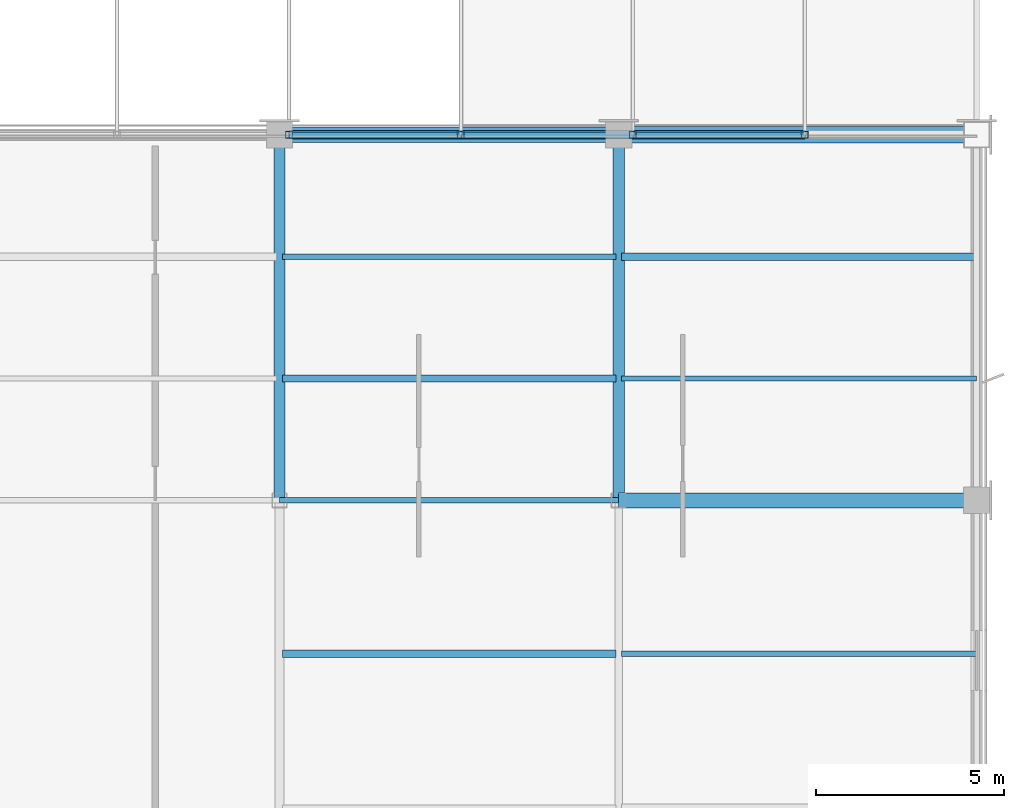
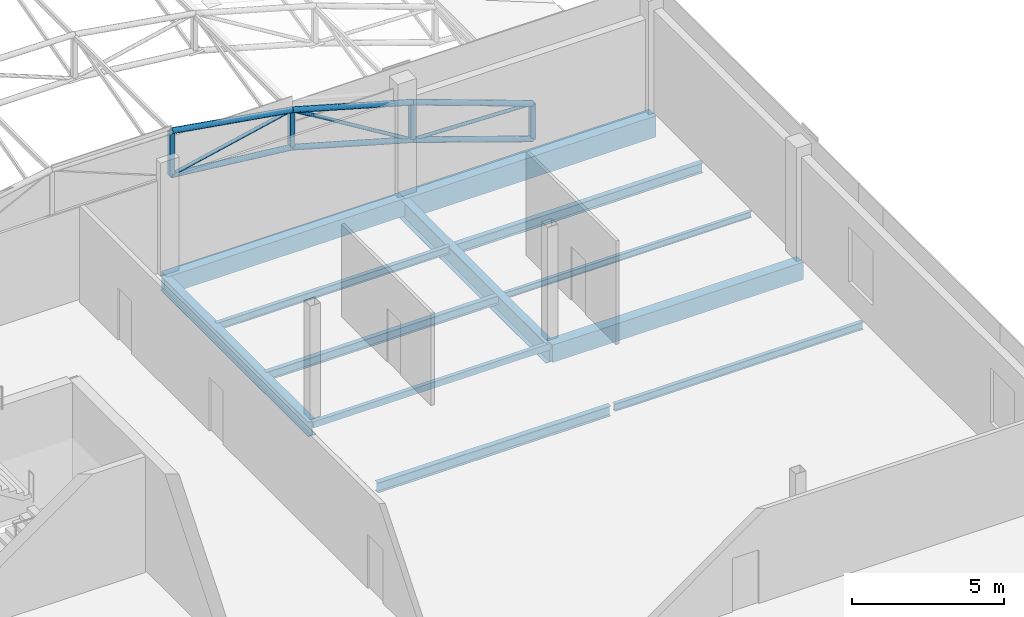
# One storey, part 50 of 101: 13 members, 12 beams.
"""IFC4 building model written with IfcOpenShell, lengths in metres."""

from ifc_helpers import new_model, si_unit, direction, frame, origin, origin_2d, place, context, subcontext, project, spatial, rectangle, hollow_rectangle, hollow_circle, i_section, extrude, material, material_profile, profile_set, type_object, element, save


model = new_model("IFC4")

# Units and contexts
model_context = context("Model", 3, precision=1e-05, world=origin(), true_north=direction((0.0, 1.0)))
body_context = subcontext(model_context, "Body", "Model", "MODEL_VIEW")
ifc_project = project(units=[si_unit("LENGTHUNIT", "METRE"), si_unit("AREAUNIT", "SQUARE_METRE"), si_unit("VOLUMEUNIT", "CUBIC_METRE"), si_unit("PLANEANGLEUNIT", "RADIAN"), si_unit("MASSUNIT", "GRAM", prefix="KILO")], contexts=[model_context])

# Site, building, storey
site_placement = place(None, origin())
site = spatial("IfcSite", under=ifc_project, at=site_placement, CompositionType="ELEMENT")
building_placement = place(site_placement, origin())
building = spatial("IfcBuilding", under=site, at=building_placement, Name="Solvikara Media Centre", CompositionType="ELEMENT")
storey_placement = place(building_placement, frame((0.0, 0.0, 10.199951171875)))
storey = spatial("IfcBuildingStorey", under=building, at=storey_placement, Name="L02", CompositionType="ELEMENT", Elevation=10.199951171875)

# Beams
ifc_material_1 = material(Name="Concrete fc' 35 MPa (C35/45)", Category="concrete")
ifc_material_profile_1 = material_profile(ifc_material_1, rectangle(XDim=0.39990234375, YDim=0.699951171875, at=origin_2d()), Name="RC 400x700")
ifc_profile_set_1 = profile_set([ifc_material_profile_1], Name="Concrete fc' 35 MPa (C35/45)")
beam_type_1 = type_object("IfcBeamType", Name="BM-13", PredefinedType="SPANDREL", material=ifc_profile_set_1)
beam_1_placement = place(storey_placement, frame((154.5, 36.800048828125, -0.58984375), z_axis=(1.0, 0.0, 0.0), x_axis=(0.0, 1.0, 0.0)))
element("IfcBeam", 1, at=beam_1_placement, inside=storey, type_object=beam_type_1, Name="B-L02-X0865", PredefinedType="SPANDREL", context=body_context, shape_type="SweptSolid", body=[
    extrude(rectangle(XDim=0.39990234375, YDim=0.699951171875, at=origin_2d()), origin(), (0.0, 0.0, 1.0), 9.5),
])
beam_2_placement = place(storey_placement, frame((145.5, 46.5, -0.58984375), z_axis=(1.0, 0.0, 0.0), x_axis=(0.0, 1.0, 0.0)))
element("IfcBeam", 2, at=beam_2_placement, inside=storey, type_object=beam_type_1, Name="B-L02-X0871", PredefinedType="SPANDREL", context=body_context, shape_type="SweptSolid", body=[
    extrude(rectangle(XDim=0.39990234375, YDim=0.699951171875, at=origin_2d()), origin(), (0.0, 0.0, 1.0), 9.0),
])
ifc_material_profile_2 = material_profile(ifc_material_1, rectangle(XDim=0.449951171875, YDim=0.85009765625, at=origin_2d()), Name="RC 450x850")
ifc_profile_set_2 = profile_set([ifc_material_profile_2], Name="Concrete fc' 35 MPa (C35/45)")
beam_type_2 = type_object("IfcBeamType", Name="BM-14", PredefinedType="SPANDREL", material=ifc_profile_set_2)
beam_3_placement = place(storey_placement, frame((154.5, 46.5, -0.6650390625), z_axis=(1.0, 0.0, 0.0), x_axis=(0.0, 1.0, 0.0)))
element("IfcBeam", 3, at=beam_3_placement, inside=storey, type_object=beam_type_2, Name="B-L02-X0872", PredefinedType="SPANDREL", context=body_context, shape_type="SweptSolid", body=[
    extrude(rectangle(XDim=0.449951171875, YDim=0.85009765625, at=origin_2d()), origin(), (0.0, 0.0, 1.0), 9.5),
])
ifc_material_2 = material(Name="Steel S355JR", Category="steel")
ifc_material_profile_3 = material_profile(ifc_material_2, i_section(OverallWidth=0.300048828125, OverallDepth=0.800048828125, WebThickness=0.013916015625, FlangeThickness=0.02587890625, at=origin_2d()), Name="WF 800x300x14x26")
ifc_profile_set_3 = profile_set([ifc_material_profile_3], Name="Steel S355JR")
beam_type_3 = type_object("IfcBeamType", Name="BM-16", PredefinedType="BEAM", material=ifc_profile_set_3)
beam_4_placement = place(storey_placement, frame((154.5, 36.800048828125, -0.641845703125), z_axis=(0.0, 1.0, 0.0), x_axis=(-1.0, 0.0, 0.0)))
element("IfcBeam", 4, at=beam_4_placement, inside=storey, type_object=beam_type_3, Name="B-L02-Y0995", PredefinedType="BEAM", context=body_context, shape_type="SweptSolid", body=[
    extrude(i_section(OverallWidth=0.300048828125, OverallDepth=0.800048828125, WebThickness=0.013916015625, FlangeThickness=0.02587890625, at=origin_2d()), origin(), (0.0, 0.0, 1.0), 9.699951171875),
])
ifc_material_profile_4 = material_profile(ifc_material_2, i_section(OverallWidth=0.199951171875, OverallDepth=0.39990234375, WebThickness=0.008056640625, FlangeThickness=0.012939453125, at=origin_2d()), Name="WF 400x200x8x13")
ifc_profile_set_4 = profile_set([ifc_material_profile_4], Name="Steel S355JR")
beam_type_4 = type_object("IfcBeamType", Name="BM-21", PredefinedType="JOIST", material=ifc_profile_set_4)
beam_5_placement = place(storey_placement, frame((145.577880859375, 32.72509765625, -0.44189453125), z_axis=(1.0, 0.0, 0.0), x_axis=(0.0, 1.0, 0.0)))
element("IfcBeam", 5, at=beam_5_placement, inside=storey, type_object=beam_type_4, Name="J-L02-1137", PredefinedType="JOIST", context=body_context, shape_type="SweptSolid", body=[
    extrude(i_section(OverallWidth=0.199951171875, OverallDepth=0.39990234375, WebThickness=0.008056640625, FlangeThickness=0.012939453125, at=origin_2d()), origin(), (0.0, 0.0, 1.0), 8.84423828125),
])
ifc_material_profile_5 = material_profile(ifc_material_2, i_section(OverallWidth=0.175048828125, OverallDepth=0.35009765625, WebThickness=0.007080078125, FlangeThickness=0.010986328125, at=origin_2d()), Name="WF 350x175x7x11")
ifc_profile_set_5 = profile_set([ifc_material_profile_5], Name="Steel S355JR")
beam_type_5 = type_object("IfcBeamType", Name="BM-22", PredefinedType="JOIST", material=ifc_profile_set_5)
beam_6_placement = place(storey_placement, frame((145.577880859375, 40.032958984375, -0.4169921875), z_axis=(1.0, 0.0, 0.0), x_axis=(0.0, 1.0, 0.0)))
element("IfcBeam", 6, at=beam_6_placement, inside=storey, type_object=beam_type_5, Name="J-L02-1138", PredefinedType="JOIST", context=body_context, shape_type="SweptSolid", body=[
    extrude(i_section(OverallWidth=0.175048828125, OverallDepth=0.35009765625, WebThickness=0.007080078125, FlangeThickness=0.010986328125, at=origin_2d()), origin(), (0.0, 0.0, 1.0), 8.84423828125),
])
ifc_material_profile_6 = material_profile(ifc_material_2, i_section(OverallWidth=0.14990234375, OverallDepth=0.300048828125, WebThickness=0.006591796875, FlangeThickness=0.009033203125, at=origin_2d()), Name="WF 300x150x6.5x9")
ifc_profile_set_6 = profile_set([ifc_material_profile_6], Name="Steel S355JR")
beam_type_6 = type_object("IfcBeamType", Name="BM-23", PredefinedType="JOIST", material=ifc_profile_set_6)
beam_7_placement = place(storey_placement, frame((145.577880859375, 43.26708984375, -0.391845703125), z_axis=(1.0, 0.0, 0.0), x_axis=(0.0, 1.0, 0.0)))
element("IfcBeam", 7, at=beam_7_placement, inside=storey, type_object=beam_type_6, Name="J-L02-1139", PredefinedType="JOIST", context=body_context, shape_type="SweptSolid", body=[
    extrude(i_section(OverallWidth=0.14990234375, OverallDepth=0.300048828125, WebThickness=0.006591796875, FlangeThickness=0.009033203125, at=origin_2d()), origin(), (0.0, 0.0, 1.0), 8.84423828125),
])
beam_8_placement = place(storey_placement, frame((154.577880859375, 32.72509765625, -0.391845703125), z_axis=(1.0, 0.0, 0.0), x_axis=(0.0, 1.0, 0.0)))
element("IfcBeam", 8, at=beam_8_placement, inside=storey, type_object=beam_type_6, Name="J-L02-1147", PredefinedType="JOIST", context=body_context, shape_type="SweptSolid", body=[
    extrude(i_section(OverallWidth=0.14990234375, OverallDepth=0.300048828125, WebThickness=0.006591796875, FlangeThickness=0.009033203125, at=origin_2d()), origin(), (0.0, 0.0, 1.0), 9.422119140625),
])
ifc_material_profile_7 = material_profile(ifc_material_2, i_section(OverallWidth=0.125, OverallDepth=0.25, WebThickness=0.006103515625, FlangeThickness=0.009033203125, at=origin_2d()), Name="WF 250x125x6x9")
ifc_profile_set_7 = profile_set([ifc_material_profile_7], Name="Steel S355JR")
beam_type_7 = type_object("IfcBeamType", Name="BM-24", PredefinedType="JOIST", material=ifc_profile_set_7)
beam_9_placement = place(storey_placement, frame((154.577880859375, 40.032958984375, -0.366943359375), z_axis=(1.0, 0.0, 0.0), x_axis=(0.0, 1.0, 0.0)))
element("IfcBeam", 9, at=beam_9_placement, inside=storey, type_object=beam_type_7, Name="J-L02-1148", PredefinedType="JOIST", context=body_context, shape_type="SweptSolid", body=[
    extrude(i_section(OverallWidth=0.125, OverallDepth=0.25, WebThickness=0.006103515625, FlangeThickness=0.009033203125, at=origin_2d()), origin(), (0.0, 0.0, 1.0), 9.422119140625),
])
ifc_material_profile_8 = material_profile(ifc_material_2, hollow_rectangle(XDim=0.14990234375, YDim=0.25, WallThickness=0.008056640625, at=origin_2d()), Name="RHS 250x150x8")
ifc_profile_set_8 = profile_set([ifc_material_profile_8], Name="Steel S355JR")
beam_type_8 = type_object("IfcBeamType", Name="BM-36", PredefinedType="JOIST", material=ifc_profile_set_8)
beam_10_placement = place(storey_placement, frame((145.5, 36.800048828125, -0.366943359375), z_axis=(1.0, 0.0, 0.0), x_axis=(0.0, 1.0, 0.0)))
element("IfcBeam", 10, at=beam_10_placement, inside=storey, type_object=beam_type_8, Name="B-L02-X0864", PredefinedType="JOIST", context=body_context, shape_type="SweptSolid", body=[
    extrude(hollow_rectangle(XDim=0.14990234375, YDim=0.25, WallThickness=0.008056640625, at=origin_2d()), origin(), (0.0, 0.0, 1.0), 9.0),
])
ifc_material_profile_9 = material_profile(ifc_material_2, i_section(OverallWidth=0.198974609375, OverallDepth=0.39599609375, WebThickness=0.007080078125, FlangeThickness=0.010986328125, at=origin_2d()), Name="WF 396x199x7x11")
ifc_profile_set_9 = profile_set([ifc_material_profile_9], Name="Steel S355JR")
beam_type_9 = type_object("IfcBeamType", Name="BM-37", PredefinedType="JOIST", material=ifc_profile_set_9)
beam_11_placement = place(storey_placement, frame((154.577880859375, 43.26708984375, -0.43994140625), z_axis=(1.0, 0.0, 0.0), x_axis=(0.0, 1.0, 0.0)))
element("IfcBeam", 11, at=beam_11_placement, inside=storey, type_object=beam_type_9, Name="J-L02-1149", PredefinedType="JOIST", context=body_context, shape_type="SweptSolid", body=[
    extrude(i_section(OverallWidth=0.198974609375, OverallDepth=0.39599609375, WebThickness=0.007080078125, FlangeThickness=0.010986328125, at=origin_2d()), origin(), (0.0, 0.0, 1.0), 9.422119140625),
])
ifc_material_profile_10 = material_profile(ifc_material_2, i_section(OverallWidth=0.302001953125, OverallDepth=0.593994140625, WebThickness=0.013916015625, FlangeThickness=0.02294921875, at=origin_2d()), Name="H 594x302x14x23")
ifc_profile_set_10 = profile_set([ifc_material_profile_10], Name="Steel S355JR")
beam_type_10 = type_object("IfcBeamType", Name="BM-41", PredefinedType="BEAM", material=ifc_profile_set_10)
beam_12_placement = place(storey_placement, frame((145.5, 36.800048828125, -0.5390625), z_axis=(0.0, 1.0, 0.0), x_axis=(-1.0, 0.0, 0.0)))
element("IfcBeam", 12, at=beam_12_placement, inside=storey, type_object=beam_type_10, Name="B-L02-Y0991", PredefinedType="BEAM", context=body_context, shape_type="SweptSolid", body=[
    extrude(i_section(OverallWidth=0.302001953125, OverallDepth=0.593994140625, WebThickness=0.013916015625, FlangeThickness=0.02294921875, at=origin_2d()), origin(), (0.0, 0.0, 1.0), 9.699951171875),
])

# Members
ifc_material_profile_11 = material_profile(ifc_material_2, hollow_circle(Radius=0.109619140625, WallThickness=0.008056640625, at=origin_2d()), Name="CHS 219.1x8")
ifc_profile_set_11 = profile_set([ifc_material_profile_11], Name="Steel S355JR")
member_type_1 = type_object("IfcMemberType", Name="MB-05", PredefinedType="CHORD", material=ifc_profile_set_11)
member_1_placement = place(storey_placement, frame((145.75, 46.5, 5.41015625), z_axis=(0.986711742418, 0.0, -0.162480575373), x_axis=(0.0, 1.0, 0.0)))
element("IfcMember", 13, at=member_1_placement, inside=storey, type_object=member_type_1, Name="BSA-TC-00-04", PredefinedType="CHORD", context=body_context, shape_type="SweptSolid", body=[
    extrude(hollow_circle(Radius=0.109619140625, WallThickness=0.008056640625, at=origin_2d()), origin(), (0.0, 0.0, 1.0), 4.62353515625),
])
member_2_placement = place(storey_placement, frame((145.75, 46.5, 3.650146484375), z_axis=(0.994253057295, 0.0, -0.107055397157), x_axis=(0.0, 1.0, 0.0)))
element("IfcMember", 14, at=member_2_placement, inside=storey, type_object=member_type_1, Name="BSA-BC-00-04", PredefinedType="CHORD", context=body_context, shape_type="SweptSolid", body=[
    extrude(hollow_circle(Radius=0.109619140625, WallThickness=0.008056640625, at=origin_2d()), origin(), (0.0, 0.0, 1.0), 4.58837890625),
])
for number, where, z_axis, x_axis, name in (
    (15, (150.31201171875, 46.5, 4.658935546875), (0.962119975268, 0.0, -0.272626398556), (0.0, 1.0, 0.0), "BSA-TC-00-05"),
    (16, (150.31201171875, 46.5, 3.158935546875), (0.962119975268, 0.0, -0.272626398556), (0.0, 1.0, 0.0), "BSA-BC-00-05"),
):
    element("IfcMember", number, at=place(storey_placement, frame(where, z_axis=z_axis, x_axis=x_axis)), inside=storey, type_object=member_type_1, Name=name, PredefinedType="CHORD", context=body_context, shape_type="SweptSolid", body=[
        extrude(hollow_circle(Radius=0.109619140625, WallThickness=0.008056640625, at=origin_2d()), origin(), (0.0, 0.0, 1.0), 4.74267578125),
    ])
member_3_placement = place(storey_placement, frame((154.875, 46.5, 3.365966796875), z_axis=(0.940941951614, 0.0, -0.338567930691), x_axis=(0.0, 1.0, 0.0)))
element("IfcMember", 17, at=member_3_placement, inside=storey, type_object=member_type_1, Name="BSA-TC-00-06", PredefinedType="CHORD", context=body_context, shape_type="SweptSolid", body=[
    extrude(hollow_circle(Radius=0.109619140625, WallThickness=0.008056640625, at=origin_2d()), origin(), (0.0, 0.0, 1.0), 4.849365234375),
])
member_4_placement = place(storey_placement, frame((154.875, 46.5, 1.865966796875), z_axis=(0.94585275082, 0.0, -0.324596016252), x_axis=(0.0, 1.0, 0.0)))
element("IfcMember", 18, at=member_4_placement, inside=storey, type_object=member_type_1, Name="BSA-BC-00-06", PredefinedType="CHORD", context=body_context, shape_type="SweptSolid", body=[
    extrude(hollow_circle(Radius=0.109619140625, WallThickness=0.008056640625, at=origin_2d()), origin(), (0.0, 0.0, 1.0), 4.82421875),
])
ifc_material_profile_12 = material_profile(ifc_material_2, hollow_circle(Radius=0.06982421875, WallThickness=0.00634765625, at=origin_2d()), Name="CHS 139.7x6.3")
ifc_profile_set_12 = profile_set([ifc_material_profile_12], Name="Steel S355JR")
member_type_2 = type_object("IfcMemberType", Name="MB-08", PredefinedType="BRACE", material=ifc_profile_set_12)
member_5_placement = place(storey_placement, frame((145.75, 46.5, 3.650146484375), z_axis=(0.976412757167, 0.0, 0.215912314707), x_axis=(0.0, 1.0, 0.0)))
element("IfcMember", 19, at=member_5_placement, inside=storey, type_object=member_type_2, Name="BSA-DG-00-04", PredefinedType="BRACE", context=body_context, shape_type="SweptSolid", body=[
    extrude(hollow_circle(Radius=0.06982421875, WallThickness=0.00634765625, at=origin_2d()), origin(), (0.0, 0.0, 1.0), 4.672119140625),
])
member_6_placement = place(storey_placement, frame((150.31201171875, 46.5, 4.658935546875), z_axis=(0.852909361519, 0.0, -0.522059020641), x_axis=(0.0, 1.0, 0.0)))
element("IfcMember", 20, at=member_6_placement, inside=storey, type_object=member_type_2, Name="BSA-DG-00-05", PredefinedType="BRACE", context=body_context, shape_type="SweptSolid", body=[
    extrude(hollow_circle(Radius=0.06982421875, WallThickness=0.00634765625, at=origin_2d()), origin(), (0.0, 0.0, 1.0), 5.349853515625),
])
member_7_placement = place(storey_placement, frame((154.875, 46.5, 1.865966796875), z_axis=(0.999517175782, 0.0, -0.03107113318), x_axis=(0.0, 1.0, 0.0)))
element("IfcMember", 21, at=member_7_placement, inside=storey, type_object=member_type_2, Name="BSA-DG-00-06", PredefinedType="BRACE", context=body_context, shape_type="SweptSolid", body=[
    extrude(hollow_circle(Radius=0.06982421875, WallThickness=0.00634765625, at=origin_2d()), origin(), (0.0, 0.0, 1.0), 4.565185546875),
])
ifc_material_profile_13 = material_profile(ifc_material_2, hollow_rectangle(XDim=0.179931640625, YDim=0.179931640625, WallThickness=0.008056640625, at=origin_2d()), Name="RHS 180x180x8")
ifc_profile_set_13 = profile_set([ifc_material_profile_13], Name="Steel S355JR")
member_type_3 = type_object("IfcMemberType", Name="MB-14", PredefinedType="BRACE", material=ifc_profile_set_13)
member_8_placement = place(storey_placement, frame((145.75, 46.5, 3.650146484375), z_axis=(0.0, 0.0, 1.0), x_axis=(1.0, 0.0, 0.0)))
element("IfcMember", 22, at=member_8_placement, inside=storey, type_object=member_type_3, Name="BSA-VT-00-04", PredefinedType="BRACE", context=body_context, shape_type="SweptSolid", body=[
    extrude(hollow_rectangle(XDim=0.179931640625, YDim=0.179931640625, WallThickness=0.008056640625, at=origin_2d()), origin(), (0.0, 0.0, 1.0), 1.760009765625),
])
for number, where, z_axis, x_axis, name in (
    (23, (150.31201171875, 46.5, 3.158935546875), (0.0, 0.0, 1.0), (1.0, 0.0, 0.0), "BSA-VT-00-05"),
    (24, (154.875, 46.5, 1.865966796875), (0.0, 0.0, 1.0), (1.0, 0.0, 0.0), "BSA-VT-00-06"),
):
    element("IfcMember", number, at=place(storey_placement, frame(where, z_axis=z_axis, x_axis=x_axis)), inside=storey, type_object=member_type_3, Name=name, PredefinedType="BRACE", context=body_context, shape_type="SweptSolid", body=[
        extrude(hollow_rectangle(XDim=0.179931640625, YDim=0.179931640625, WallThickness=0.008056640625, at=origin_2d()), origin(), (0.0, 0.0, 1.0), 1.5),
    ])
member_9_placement = place(storey_placement, frame((159.43798828125, 46.5, 0.300048828125), z_axis=(0.0, 0.0, 1.0), x_axis=(1.0, 0.0, 0.0)))
element("IfcMember", 25, at=member_9_placement, inside=storey, type_object=member_type_3, Name="BSA-VT-00-07", PredefinedType="BRACE", context=body_context, shape_type="SweptSolid", body=[
    extrude(hollow_rectangle(XDim=0.179931640625, YDim=0.179931640625, WallThickness=0.008056640625, at=origin_2d()), origin(), (0.0, 0.0, 1.0), 1.424072265625),
])

save(model, "model.ifc")
